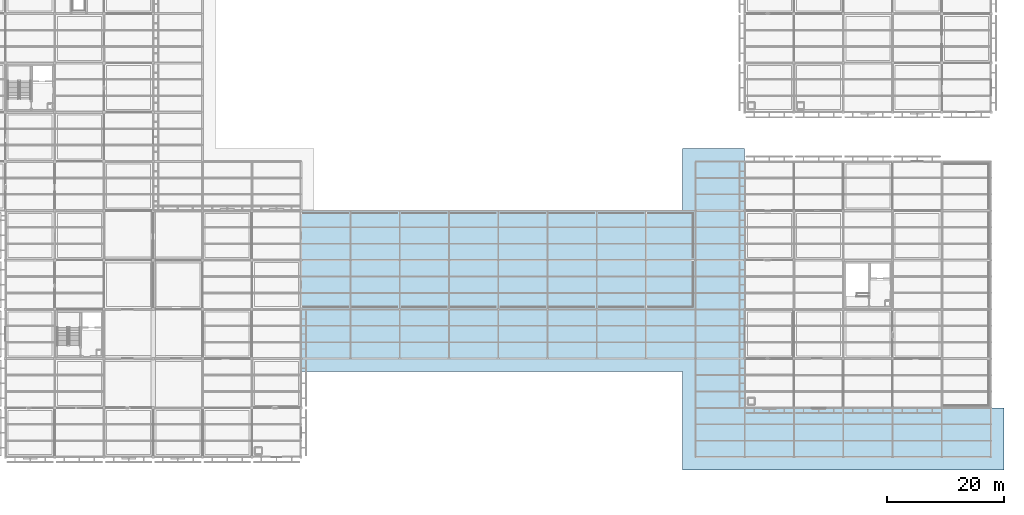
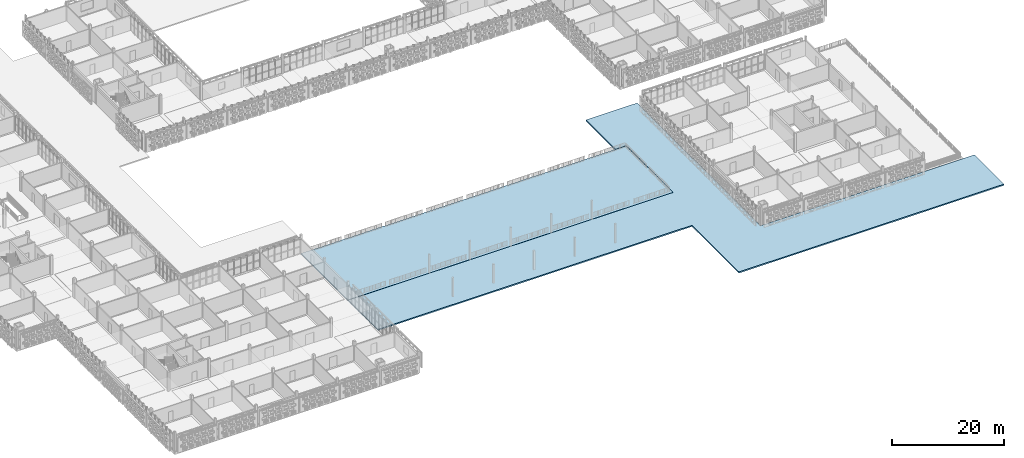
# One storey, part 80 of 166: 2 slabs.
"""IFC4 building model written with IfcOpenShell, lengths in metres."""

from ifc_helpers import new_model, si_unit, direction, frame, origin, place, context, subcontext, project, spatial, polyline, outline, extrude, material, layer, layer_set, type_object, element, save


model = new_model("IFC4")

# Units and contexts
model_context = context("Model", 3, precision=1e-05, world=origin(), true_north=direction((0.0, 1.0)))
body_context = subcontext(model_context, "Body", "Model", "MODEL_VIEW")
ifc_project = project(units=[si_unit("LENGTHUNIT", "METRE"), si_unit("AREAUNIT", "SQUARE_METRE"), si_unit("VOLUMEUNIT", "CUBIC_METRE"), si_unit("PLANEANGLEUNIT", "RADIAN"), si_unit("MASSUNIT", "GRAM", prefix="KILO")], contexts=[model_context])

# Site, building, storey
site_placement = place(None, origin())
site = spatial("IfcSite", under=ifc_project, at=site_placement, CompositionType="ELEMENT")
building_placement = place(site_placement, origin())
building = spatial("IfcBuilding", under=site, at=building_placement, Name="Varnapada Polytechnic", CompositionType="ELEMENT")
storey_placement = place(building_placement, frame((0.0, 0.0, 9.60009765625)))
storey = spatial("IfcBuildingStorey", under=building, at=storey_placement, Name="L02", CompositionType="ELEMENT", Elevation=9.60009765625)

# Slabs
ifc_material_1 = material(Name="Cross-laminated timber CLT C24", Category="wood")
ifc_layer_1 = layer(ifc_material_1, 0.22998046875)
ifc_layer_set_1 = layer_set([ifc_layer_1], Name="Cross-laminated timber CLT C24")
slab_type_1 = type_object("IfcSlabType", Name="L04..L06 occupied studio roof terrace slab SL-10", PredefinedType="FLOOR", material=ifc_layer_set_1)
slab_1_placement = place(storey_placement, frame((0.0, 0.0, -0.22998046875)))
element("IfcSlab", 1, at=slab_1_placement, inside=storey, type_object=slab_type_1, Name="L02 COMMONS_TERRACE slab 1.1", PredefinedType="FLOOR", context=body_context, shape_type="SweptSolid", body=[
    extrude(outline(polyline([(84.0, 25.199951171875), (75.60009765625, 25.199951171875), (67.199951171875, 25.199951171875), (58.800048828125, 25.199951171875), (58.800048828125, 33.60009765625), (58.800048828125, 42.0), (67.199951171875, 42.0), (75.60009765625, 42.0), (84.0, 42.0), (92.39990234375, 42.0), (100.800048828125, 42.0), (109.199951171875, 42.0), (117.60009765625, 42.0), (126.0, 42.0), (126.0, 33.60009765625), (126.0, 25.199951171875), (117.60009765625, 25.199951171875), (109.199951171875, 25.199951171875), (100.800048828125, 25.199951171875), (92.39990234375, 25.199951171875), (84.0, 25.199951171875)])), origin(), (0.0, 0.0, 1.0), 0.22998046875),
])
ifc_material_2 = material(Name="Concrete C40/50", Category="concrete")
ifc_layer_2 = layer(ifc_material_2, 0.27001953125)
ifc_layer_set_2 = layer_set([ifc_layer_2], Name="Concrete C40/50")
slab_type_2 = type_object("IfcSlabType", Name="Overhanging tropical eave roof slab RS-07", PredefinedType="ROOF", material=ifc_layer_set_2)
slab_2_placement = place(storey_placement, frame((0.0, 0.0, -0.27001953125)))
element("IfcSlab", 2, at=slab_2_placement, inside=storey, type_object=slab_type_2, Name="L02 overhanging eave roof slab 2", PredefinedType="ROOF", context=body_context, shape_type="SweptSolid", body=[
    extrude(outline(polyline([(123.800048828125, 52.60009765625), (134.39990234375, 52.60009765625), (134.39990234375, 50.419921875), (134.3798828125, 50.39990234375), (134.385986328125, 8.385986328125), (176.39990234375, 8.3798828125), (176.419921875, 8.39990234375), (178.60009765625, 8.39990234375), (178.60009765625, -2.199951171875), (123.800048828125, -2.199951171875), (123.800048828125, 14.60009765625), (58.820068359375, 14.60009765625), (58.820068359375, 25.179931640625), (126.009521484375, 25.182373046875), (126.02001953125, 25.199951171875), (126.02001953125, 42.001953125), (126.0, 42.02001953125), (123.800048828125, 42.02001953125), (123.800048828125, 52.60009765625)])), origin(), (0.0, 0.0, 1.0), 0.27001953125),
])

save(model, "model.ifc")
